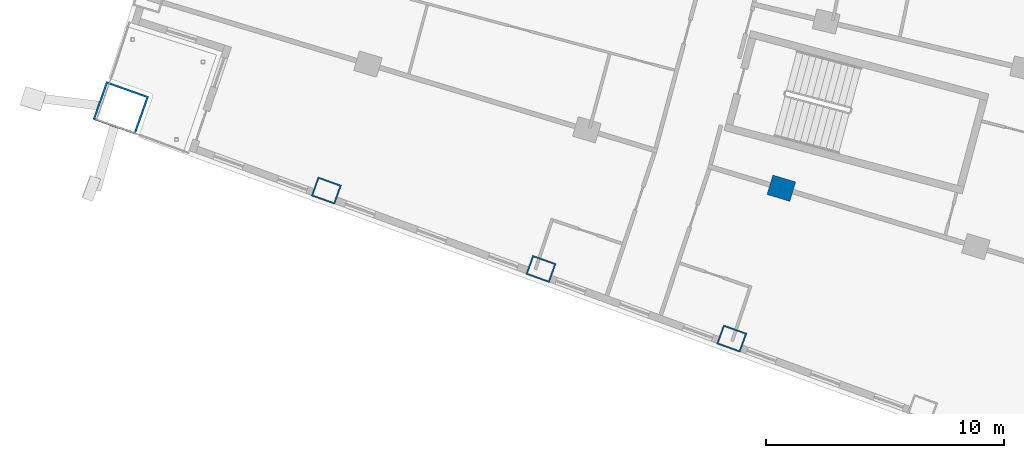
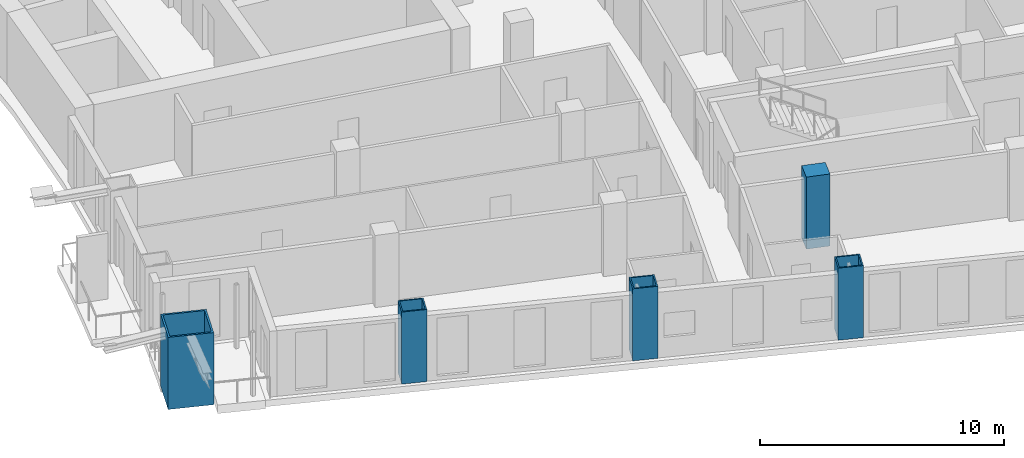
# One storey, part 1 of 23: 5 columns.
"""IFC4 building model written with IfcOpenShell, lengths in metres."""

from ifc_helpers import new_model, si_unit, direction, frame, origin, origin_2d, place, context, subcontext, project, spatial, rectangle, hollow_rectangle, extrude, material, material_profile, profile_set, type_object, element, save


model = new_model("IFC4")

# Units and contexts
model_context = context("Model", 3, precision=1e-05, world=origin(), true_north=direction((0.0, 1.0)))
body_context = subcontext(model_context, "Body", "Model", "MODEL_VIEW")
ifc_project = project(units=[si_unit("LENGTHUNIT", "METRE"), si_unit("AREAUNIT", "SQUARE_METRE"), si_unit("VOLUMEUNIT", "CUBIC_METRE"), si_unit("PLANEANGLEUNIT", "RADIAN"), si_unit("MASSUNIT", "GRAM", prefix="KILO")], contexts=[model_context])

# Site, building, storey
site_placement = place(None, origin())
site = spatial("IfcSite", under=ifc_project, at=site_placement, CompositionType="ELEMENT")
building_placement = place(site_placement, origin())
building = spatial("IfcBuilding", under=site, at=building_placement, Name="Alderwake Tower", CompositionType="ELEMENT")
storey_placement = place(building_placement, frame((0.0, 0.0, 100.39990234375)))
storey = spatial("IfcBuildingStorey", under=building, at=storey_placement, Name="L24", CompositionType="ELEMENT", Elevation=100.39990234375)

# Columns
ifc_material_1 = material(Name="Steel ASTM A572 Grade 50 concrete filled C70/85", Category="concrete")
ifc_material_profile_1 = material_profile(ifc_material_1, hollow_rectangle(XDim=0.85009765625, YDim=1.050048828125, WallThickness=0.06005859375, at=origin_2d()), Name="BOX 1050X850X60")
ifc_profile_set_1 = profile_set([ifc_material_profile_1], Name="Steel ASTM A572 Grade 50 concrete filled C70/85")
column_type_1 = type_object("IfcColumnType", Name="End column Z2", PredefinedType="COLUMN", material=ifc_profile_set_1)
for number, where, z_axis, x_axis, name in (
    (1, (19.965576171875, 25.1484375, 0.0), (0.0, 0.0, 1.0), (0.337584879279, 0.9412950915, 0.0), "Column R01-C1"),
    (2, (28.983642578125, 21.856689453125, 0.0), (0.0, 0.0, 1.0), (0.338026774049, 0.941136493834, 0.0), "Column R01-C2"),
    (3, (36.999755859375, 18.930419921875, 0.0), (0.0, 0.0, 1.0), (0.338360199215, 0.941016671259, 0.0), "Column R01-C3"),
):
    element("IfcColumn", number, at=place(storey_placement, frame(where, z_axis=z_axis, x_axis=x_axis)), inside=storey, type_object=column_type_1, Name=name, PredefinedType="COLUMN", context=body_context, shape_type="SweptSolid", body=[
        extrude(hollow_rectangle(XDim=0.85009765625, YDim=1.050048828125, WallThickness=0.06005859375, at=origin_2d()), origin(), (0.0, 0.0, 1.0), 3.60009765625),
    ])
ifc_material_2 = material(Name="Concrete C70/85", Category="concrete")
ifc_material_profile_2 = material_profile(ifc_material_2, rectangle(XDim=0.85009765625, YDim=1.0, at=origin_2d()), Name="RC 1000X850")
ifc_profile_set_2 = profile_set([ifc_material_profile_2], Name="Concrete C70/85")
column_type_2 = type_object("IfcColumnType", Name="Interior column Z2", PredefinedType="COLUMN", material=ifc_profile_set_2)
column_1_placement = place(storey_placement, frame((39.082275390625, 25.248046875, 0.0), z_axis=(0.0, 0.0, 1.0), x_axis=(0.287549418125, 0.957765802342, 0.0)))
element("IfcColumn", 4, at=column_1_placement, inside=storey, type_object=column_type_2, Name="Column R02-C3", PredefinedType="COLUMN", context=body_context, shape_type="SweptSolid", body=[
    extrude(rectangle(XDim=0.85009765625, YDim=1.0, at=origin_2d()), origin(), (0.0, 0.0, 1.0), 3.60009765625),
])
ifc_material_3 = material(Name="Steel ASTM A572 Grade 50 concrete filled C70/85", Category="concrete")
ifc_material_profile_3 = material_profile(ifc_material_3, hollow_rectangle(XDim=1.699951171875, YDim=1.89990234375, WallThickness=0.0849609375, at=origin_2d()), Name="BOX 1900X1700X85")
ifc_profile_set_3 = profile_set([ifc_material_profile_3], Name="Steel ASTM A572 Grade 50 concrete filled C70/85")
column_type_3 = type_object("IfcColumnType", Name="Mega column Z2", PredefinedType="COLUMN", material=ifc_profile_set_3)
column_2_placement = place(storey_placement, frame((11.330810546875, 28.622802734375, 0.0), z_axis=(0.0, 0.0, 1.0), x_axis=(0.334130947791, 0.942526662609, 0.0)))
element("IfcColumn", 5, at=column_2_placement, inside=storey, type_object=column_type_3, Name="Column R01-C0", PredefinedType="COLUMN", context=body_context, shape_type="SweptSolid", body=[
    extrude(hollow_rectangle(XDim=1.699951171875, YDim=1.89990234375, WallThickness=0.0849609375, at=origin_2d()), origin(), (0.0, 0.0, 1.0), 3.60009765625),
])

save(model, "model.ifc")
